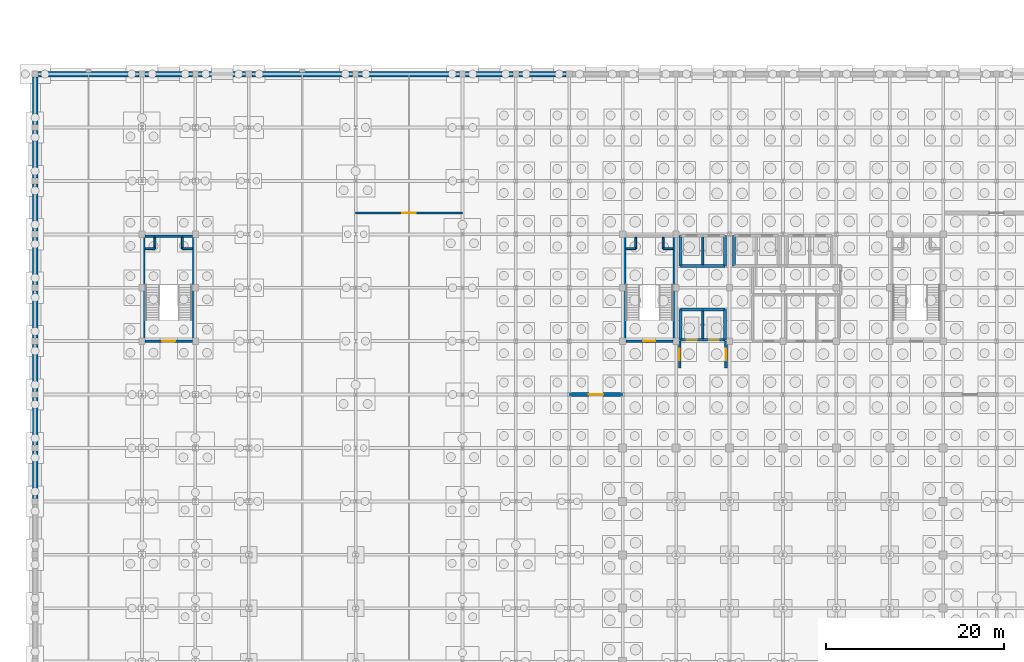
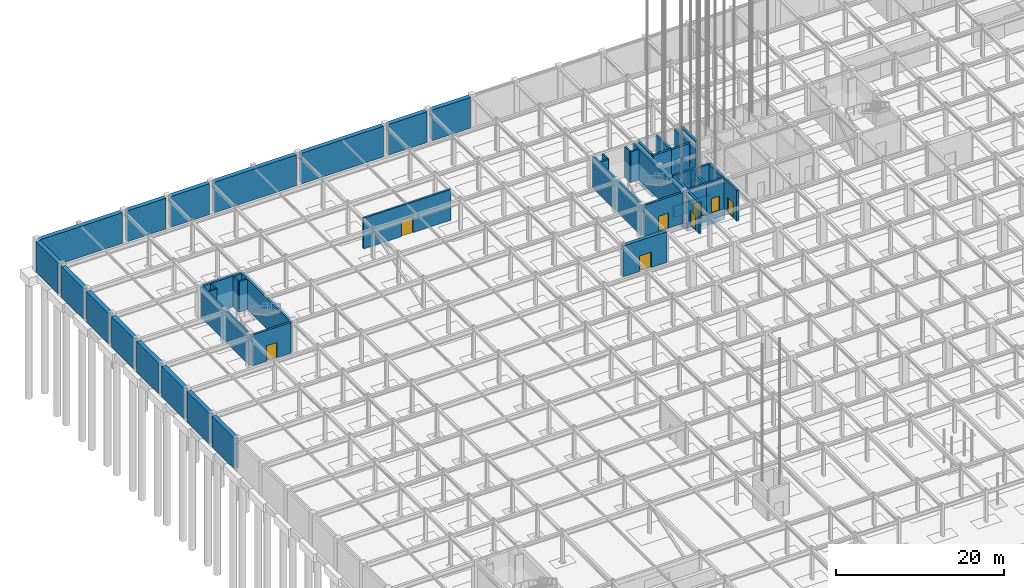
# One storey, part 46 of 69: 55 walls, 8 doors, 8 openings.
"""IFC4 building model written with IfcOpenShell, lengths in metres."""

from ifc_helpers import new_model, si_unit, direction, frame, frame_2d, origin, place, context, subcontext, project, spatial, rectangle, extrude, material, layer, layer_set, type_object, element, fill, save


model = new_model("IFC4")

# Units and contexts
model_context = context("Model", 3, precision=1e-05, world=origin(), true_north=direction((0.0, 1.0)))
body_context = subcontext(model_context, "Body", "Model", "MODEL_VIEW")
ifc_project = project(units=[si_unit("LENGTHUNIT", "METRE"), si_unit("AREAUNIT", "SQUARE_METRE"), si_unit("VOLUMEUNIT", "CUBIC_METRE"), si_unit("PLANEANGLEUNIT", "RADIAN"), si_unit("MASSUNIT", "GRAM", prefix="KILO")], contexts=[model_context])

# Site, building, storey
site_placement = place(None, origin())
site = spatial("IfcSite", under=ifc_project, at=site_placement, CompositionType="ELEMENT")
building_placement = place(site_placement, origin())
building = spatial("IfcBuilding", under=site, at=building_placement, Name="Zlatovratsky Civic Hall", CompositionType="ELEMENT")
storey_placement = place(building_placement, frame((0.0, 0.0, -4.800048828125)))
storey = spatial("IfcBuildingStorey", under=building, at=storey_placement, Name="B1", CompositionType="ELEMENT", Elevation=-4.800048828125)

# Wall, opening, door
ifc_material_1 = material(Name="Acoustic ceramic blockwork", Category="masonry")
ifc_layer_1 = layer(ifc_material_1, 0.260009765625)
ifc_layer_set_1 = layer_set([ifc_layer_1], Name="Acoustic ceramic blockwork")
wall_type_1 = type_object("IfcWallType", Name="Wall_ArchiveCompartment_260", PredefinedType="PARTITIONING", material=ifc_layer_set_1)
wall_1_placement = place(storey_placement, frame((36.0, 98.39990234375, 0.0), z_axis=(0.0, 0.0, 1.0), x_axis=(1.0, 0.0, 0.0)))
wall_1 = element("IfcWall", 1, at=wall_1_placement, inside=storey, type_object=wall_type_1, Name="WL-6048", PredefinedType="PARTITIONING", context=body_context, shape_type="SweptSolid", body=[
    extrude(rectangle(XDim=12.0, YDim=0.260009765625, at=frame_2d((6.0, 0.0))), origin(), (0.0, 0.0, 1.0), 4.47998046875),
])
opening_1_placement = place(wall_1_placement, frame((5.22509765625, 0.0, 0.0)))
opening_1 = element("IfcOpeningElement", 2, at=opening_1_placement, cuts=wall_1, Name="Opening D-15", PredefinedType="OPENING", context=body_context, shape_type="SweptSolid", body=[
    extrude(rectangle(XDim=1.550048828125, YDim=2.300048828125, at=frame_2d((0.77490234375, 1.14990234375))), frame((0.0, 0.14501953125, 0.0), z_axis=(0.0, -1.0, 0.0), x_axis=(1.0, 0.0, 0.0)), (0.0, 0.0, 1.0), 0.289794921875),
])
ifc_material_2 = material(Name="Insulated painted fire-rated steel leaf", Category="steel")
door_type_1 = type_object("IfcDoorType", Name="Door_CompactArchiveFire_1550x2300", OperationType="DOUBLE_DOOR_SINGLE_SWING", PredefinedType="DOOR", material=ifc_material_2)
door_1_placement = place(opening_1_placement, origin())
door_1 = element("IfcDoor", 3, at=door_1_placement, inside=storey, type_object=door_type_1, Name="DR-5217", OperationType="DOUBLE_DOOR_SINGLE_SWING", OverallHeight=2.300048828125, OverallWidth=1.550048828125, PredefinedType="DOOR", context=body_context, shape_type="SweptSolid", body=[
    extrude(rectangle(XDim=1.550048828125, YDim=2.300048828125, at=frame_2d((0.77490234375, 1.14990234375))), frame((0.0, 0.02490234375, 0.0), z_axis=(0.0, -1.0, 0.0), x_axis=(1.0, 0.0, 0.0)), (0.0, 0.0, 1.0), 0.050048828125),
])
fill(opening_1, door_1)

ifc_material_3 = material(Name="Concrete C35/45 (B40)", Category="concrete")
ifc_layer_2 = layer(ifc_material_3, 0.47998046875)
ifc_layer_set_2 = layer_set([ifc_layer_2], Name="Concrete C35/45 (B40)")
wall_type_2 = type_object("IfcWallType", Name="Wall_LowerCoreShear_480", PredefinedType="SHEAR", material=ifc_layer_set_2)
wall_2_placement = place(storey_placement, frame((60.0, 78.0, 0.0), z_axis=(0.0, 0.0, 1.0), x_axis=(1.0, 0.0, 0.0)))
wall_2 = element("IfcWall", 4, at=wall_2_placement, inside=storey, type_object=wall_type_2, Name="WL-6045", PredefinedType="SHEAR", context=body_context, shape_type="SweptSolid", body=[
    extrude(rectangle(XDim=6.0, YDim=0.47998046875, at=frame_2d((3.0, 0.0))), origin(), (0.0, 0.0, 1.0), 4.47998046875),
])
opening_2_placement = place(wall_2_placement, frame((2.199951171875, 0.0, 0.0)))
opening_2 = element("IfcOpeningElement", 5, at=opening_2_placement, cuts=wall_2, Name="Opening D-29", PredefinedType="OPENING", context=body_context, shape_type="SweptSolid", body=[
    extrude(rectangle(XDim=1.60009765625, YDim=2.25, at=frame_2d((0.800048828125, 1.125))), frame((0.0, 0.2548828125, 0.0), z_axis=(0.0, -1.0, 0.0), x_axis=(1.0, 0.0, 0.0)), (0.0, 0.0, 1.0), 0.509765625),
])
door_type_2 = type_object("IfcDoorType", Name="Door_PlantRoomDouble_1600x2250", OperationType="DOUBLE_DOOR_SINGLE_SWING", PredefinedType="DOOR", material=ifc_material_2)
door_2_placement = place(opening_2_placement, origin())
door_2 = element("IfcDoor", 6, at=door_2_placement, inside=storey, type_object=door_type_2, Name="DR-5214", OperationType="DOUBLE_DOOR_SINGLE_SWING", OverallHeight=2.25, OverallWidth=1.60009765625, PredefinedType="DOOR", context=body_context, shape_type="SweptSolid", body=[
    extrude(rectangle(XDim=1.60009765625, YDim=2.25, at=frame_2d((0.800048828125, 1.125))), frame((0.0, 0.02490234375, 0.0), z_axis=(0.0, -1.0, 0.0), x_axis=(1.0, 0.0, 0.0)), (0.0, 0.0, 1.0), 0.050048828125),
])
fill(opening_2, door_2)

# Walls
ifc_layer_3 = layer(ifc_material_1, 0.219970703125)
ifc_layer_set_3 = layer_set([ifc_layer_3], Name="Acoustic ceramic blockwork")
wall_type_3 = type_object("IfcWallType", Name="Wall_SanitaryWetCore_220", PredefinedType="PARTITIONING", material=ifc_layer_set_3)
wall_3_placement = place(storey_placement, frame((67.449951171875, 94.39990234375, 0.0), z_axis=(0.0, 0.0, 1.0), x_axis=(0.0, 1.0, 0.0)))
element("IfcWall", 7, at=wall_3_placement, inside=storey, type_object=wall_type_3, Name="WL-5005", PredefinedType="PARTITIONING", context=body_context, shape_type="SweptSolid", body=[
    extrude(rectangle(XDim=1.25, YDim=0.219970703125, at=frame_2d((0.625, 0.0))), origin(), (0.0, 0.0, 1.0), 4.47998046875),
])
wall_4_placement = place(storey_placement, frame((66.35009765625, 94.39990234375, 0.0), z_axis=(0.0, 0.0, 1.0), x_axis=(1.0, 0.0, 0.0)))
element("IfcWall", 8, at=wall_4_placement, inside=storey, type_object=wall_type_3, Name="WL-5006", PredefinedType="PARTITIONING", context=body_context, shape_type="SweptSolid", body=[
    extrude(rectangle(XDim=1.099853515625, YDim=0.219970703125, at=frame_2d((0.5498046875, 0.0))), origin(), (0.0, 0.0, 1.0), 4.47998046875),
])
wall_5_placement = place(storey_placement, frame((70.550048828125, 94.39990234375, 0.0), z_axis=(0.0, 0.0, 1.0), x_axis=(0.0, 1.0, 0.0)))
element("IfcWall", 9, at=wall_5_placement, inside=storey, type_object=wall_type_3, Name="WL-5007", PredefinedType="PARTITIONING", context=body_context, shape_type="SweptSolid", body=[
    extrude(rectangle(XDim=1.25, YDim=0.219970703125, at=frame_2d((0.625, 0.0))), origin(), (0.0, 0.0, 1.0), 4.47998046875),
])
wall_6_placement = place(storey_placement, frame((70.550048828125, 94.39990234375, 0.0), z_axis=(0.0, 0.0, 1.0), x_axis=(1.0, 0.0, 0.0)))
element("IfcWall", 10, at=wall_6_placement, inside=storey, type_object=wall_type_3, Name="WL-5008", PredefinedType="PARTITIONING", context=body_context, shape_type="SweptSolid", body=[
    extrude(rectangle(XDim=1.099853515625, YDim=0.219970703125, at=frame_2d((0.5498046875, 0.0))), origin(), (0.0, 0.0, 1.0), 4.47998046875),
])
wall_7_placement = place(storey_placement, frame((13.449951171875, 94.39990234375, 0.0), z_axis=(0.0, 0.0, 1.0), x_axis=(0.0, 1.0, 0.0)))
element("IfcWall", 11, at=wall_7_placement, inside=storey, type_object=wall_type_3, Name="WL-5393", PredefinedType="PARTITIONING", context=body_context, shape_type="SweptSolid", body=[
    extrude(rectangle(XDim=1.25, YDim=0.219970703125, at=frame_2d((0.625, 0.0))), origin(), (0.0, 0.0, 1.0), 4.47998046875),
])
wall_8_placement = place(storey_placement, frame((12.35009765625, 94.39990234375, 0.0), z_axis=(0.0, 0.0, 1.0), x_axis=(1.0, 0.0, 0.0)))
element("IfcWall", 12, at=wall_8_placement, inside=storey, type_object=wall_type_3, Name="WL-5394", PredefinedType="PARTITIONING", context=body_context, shape_type="SweptSolid", body=[
    extrude(rectangle(XDim=1.099853515625, YDim=0.219970703125, at=frame_2d((0.5498046875, 0.0))), origin(), (0.0, 0.0, 1.0), 4.47998046875),
])
wall_9_placement = place(storey_placement, frame((16.550048828125, 94.39990234375, 0.0), z_axis=(0.0, 0.0, 1.0), x_axis=(0.0, 1.0, 0.0)))
element("IfcWall", 13, at=wall_9_placement, inside=storey, type_object=wall_type_3, Name="WL-5395", PredefinedType="PARTITIONING", context=body_context, shape_type="SweptSolid", body=[
    extrude(rectangle(XDim=1.25, YDim=0.219970703125, at=frame_2d((0.625, 0.0))), origin(), (0.0, 0.0, 1.0), 4.47998046875),
])
wall_10_placement = place(storey_placement, frame((16.550048828125, 94.39990234375, 0.0), z_axis=(0.0, 0.0, 1.0), x_axis=(1.0, 0.0, 0.0)))
element("IfcWall", 14, at=wall_10_placement, inside=storey, type_object=wall_type_3, Name="WL-5396", PredefinedType="PARTITIONING", context=body_context, shape_type="SweptSolid", body=[
    extrude(rectangle(XDim=1.099853515625, YDim=0.219970703125, at=frame_2d((0.5498046875, 0.0))), origin(), (0.0, 0.0, 1.0), 4.47998046875),
])

# Wall, opening, door
ifc_layer_4 = layer(ifc_material_3, 0.300048828125)
ifc_layer_set_4 = layer_set([ifc_layer_4], Name="Concrete C35/45 (B40)")
wall_type_4 = type_object("IfcWallType", Name="Wall_StairAndLiftShaft_300", PredefinedType="SHEAR", material=ifc_layer_set_4)
wall_11_placement = place(storey_placement, frame((66.35009765625, 84.0, 0.0), z_axis=(0.0, 0.0, 1.0), x_axis=(1.0, 0.0, 0.0)))
wall_11 = element("IfcWall", 15, at=wall_11_placement, inside=storey, type_object=wall_type_4, Name="WL-5001", PredefinedType="SHEAR", context=body_context, shape_type="SweptSolid", body=[
    extrude(rectangle(XDim=5.2998046875, YDim=0.300048828125, at=frame_2d((2.64990234375, 0.0))), origin(), (0.0, 0.0, 1.0), 4.47998046875),
])
opening_3_placement = place(wall_11_placement, frame((1.97509765625, 0.0, 0.0)))
opening_3 = element("IfcOpeningElement", 16, at=opening_3_placement, cuts=wall_11, Name="Opening D-17", PredefinedType="OPENING", context=body_context, shape_type="SweptSolid", body=[
    extrude(rectangle(XDim=1.35009765625, YDim=2.199951171875, at=frame_2d((0.675048828125, 1.10009765625))), frame((0.0, 0.1650390625, 0.0), z_axis=(0.0, -1.0, 0.0), x_axis=(1.0, 0.0, 0.0)), (0.0, 0.0, 1.0), 0.329833984375),
])
door_type_3 = type_object("IfcDoorType", Name="Door_StairwellFireTower_1350x2200", OperationType="NOTDEFINED", PredefinedType="DOOR", material=ifc_material_2)
door_3_placement = place(opening_3_placement, origin())
door_3 = element("IfcDoor", 17, at=door_3_placement, inside=storey, type_object=door_type_3, Name="DR-5001", OperationType="SINGLE_SWING_LEFT", OverallHeight=2.199951171875, OverallWidth=1.35009765625, PredefinedType="DOOR", context=body_context, shape_type="SweptSolid", body=[
    extrude(rectangle(XDim=1.35009765625, YDim=2.199951171875, at=frame_2d((0.675048828125, 1.10009765625))), frame((0.0, 0.02490234375, 0.0), z_axis=(0.0, -1.0, 0.0), x_axis=(1.0, 0.0, 0.0)), (0.0, 0.0, 1.0), 0.050048828125),
])
fill(opening_3, door_3)

# Walls
for number, where, z_axis, x_axis, name in (
    (18, (66.199951171875, 84.0, 0.0), (0.0, 0.0, 1.0), (0.0, 1.0, 0.0), "WL-5003"),
    (19, (71.800048828125, 84.0, 0.0), (0.0, 0.0, 1.0), (0.0, 1.0, 0.0), "WL-5004"),
):
    element("IfcWall", number, at=place(storey_placement, frame(where, z_axis=z_axis, x_axis=x_axis)), inside=storey, type_object=wall_type_4, Name=name, PredefinedType="SHEAR", context=body_context, shape_type="SweptSolid", body=[
        extrude(rectangle(XDim=11.800048828125, YDim=0.300048828125, at=frame_2d((5.89990234375, 0.0))), origin(), (0.0, 0.0, 1.0), 4.47998046875),
    ])

# Wall, opening, door
wall_12_placement = place(storey_placement, frame((12.35009765625, 84.0, 0.0), z_axis=(0.0, 0.0, 1.0), x_axis=(1.0, 0.0, 0.0)))
wall_12 = element("IfcWall", 20, at=wall_12_placement, inside=storey, type_object=wall_type_4, Name="WL-5389", PredefinedType="SHEAR", context=body_context, shape_type="SweptSolid", body=[
    extrude(rectangle(XDim=5.2998046875, YDim=0.300048828125, at=frame_2d((2.64990234375, 0.0))), origin(), (0.0, 0.0, 1.0), 4.47998046875),
])
opening_4_placement = place(wall_12_placement, frame((1.925048828125, 0.0, 0.0)))
opening_4 = element("IfcOpeningElement", 21, at=opening_4_placement, cuts=wall_12, Name="Opening D-16", PredefinedType="OPENING", context=body_context, shape_type="SweptSolid", body=[
    extrude(rectangle(XDim=1.449951171875, YDim=2.25, at=frame_2d((0.72509765625, 1.125))), frame((0.0, 0.1650390625, 0.0), z_axis=(0.0, -1.0, 0.0), x_axis=(1.0, 0.0, 0.0)), (0.0, 0.0, 1.0), 0.329833984375),
])
door_type_4 = type_object("IfcDoorType", Name="Door_StairwellFirePodium_1450x2250", OperationType="NOTDEFINED", PredefinedType="DOOR", material=ifc_material_2)
door_4_placement = place(opening_4_placement, origin())
door_4 = element("IfcDoor", 22, at=door_4_placement, inside=storey, type_object=door_type_4, Name="DR-5049", OperationType="SINGLE_SWING_LEFT", OverallHeight=2.25, OverallWidth=1.449951171875, PredefinedType="DOOR", context=body_context, shape_type="SweptSolid", body=[
    extrude(rectangle(XDim=1.449951171875, YDim=2.25, at=frame_2d((0.72509765625, 1.125))), frame((0.0, 0.02490234375, 0.0), z_axis=(0.0, -1.0, 0.0), x_axis=(1.0, 0.0, 0.0)), (0.0, 0.0, 1.0), 0.050048828125),
])
fill(opening_4, door_4)

# Walls
wall_13_placement = place(storey_placement, frame((12.35009765625, 95.800048828125, 0.0), z_axis=(0.0, 0.0, 1.0), x_axis=(1.0, 0.0, 0.0)))
element("IfcWall", 23, at=wall_13_placement, inside=storey, type_object=wall_type_4, Name="WL-5390", PredefinedType="SHEAR", context=body_context, shape_type="SweptSolid", body=[
    extrude(rectangle(XDim=5.2998046875, YDim=0.300048828125, at=frame_2d((2.64990234375, 0.0))), origin(), (0.0, 0.0, 1.0), 4.47998046875),
])
for number, where, z_axis, x_axis, name in (
    (24, (12.199951171875, 84.0, 0.0), (0.0, 0.0, 1.0), (0.0, 1.0, 0.0), "WL-5391"),
    (25, (17.800048828125, 84.0, 0.0), (0.0, 0.0, 1.0), (0.0, 1.0, 0.0), "WL-5392"),
):
    element("IfcWall", number, at=place(storey_placement, frame(where, z_axis=z_axis, x_axis=x_axis)), inside=storey, type_object=wall_type_4, Name=name, PredefinedType="SHEAR", context=body_context, shape_type="SweptSolid", body=[
        extrude(rectangle(XDim=11.800048828125, YDim=0.300048828125, at=frame_2d((5.89990234375, 0.0))), origin(), (0.0, 0.0, 1.0), 4.47998046875),
    ])
for number, where, z_axis, x_axis, name in (
    (26, (72.5, 84.14990234375, -1.599853515625), (0.0, 0.0, 1.0), (1.0, 0.0, 0.0), "WL-5469"),
    (27, (72.5, 87.550048828125, -1.599853515625), (0.0, 0.0, 1.0), (1.0, 0.0, 0.0), "WL-5470"),
):
    element("IfcWall", number, at=place(storey_placement, frame(where, z_axis=z_axis, x_axis=x_axis)), inside=storey, type_object=wall_type_4, Name=name, PredefinedType="SHEAR", context=body_context, shape_type="SweptSolid", body=[
        extrude(rectangle(XDim=5.0, YDim=0.300048828125, at=frame_2d((2.5, 0.0))), origin(), (0.0, 0.0, 1.0), 1.599853515625),
    ])
for number, where, z_axis, x_axis, name in (
    (28, (72.5, 84.14990234375, -1.599853515625), (0.0, 0.0, 1.0), (0.0, 1.0, 0.0), "WL-5471"),
    (29, (77.5, 84.14990234375, -1.599853515625), (0.0, 0.0, 1.0), (0.0, 1.0, 0.0), "WL-5472"),
):
    element("IfcWall", number, at=place(storey_placement, frame(where, z_axis=z_axis, x_axis=x_axis)), inside=storey, type_object=wall_type_4, Name=name, PredefinedType="SHEAR", context=body_context, shape_type="SweptSolid", body=[
        extrude(rectangle(XDim=3.400146484375, YDim=0.300048828125, at=frame_2d((1.7001953125, 0.0))), origin(), (0.0, 0.0, 1.0), 1.599853515625),
    ])
wall_14_placement = place(storey_placement, frame((72.5, 92.449951171875, -1.599853515625), z_axis=(0.0, 0.0, 1.0), x_axis=(1.0, 0.0, 0.0)))
element("IfcWall", 30, at=wall_14_placement, inside=storey, type_object=wall_type_4, Name="WL-5473", PredefinedType="SHEAR", context=body_context, shape_type="SweptSolid", body=[
    extrude(rectangle(XDim=5.0, YDim=0.300048828125, at=frame_2d((2.5, 0.0))), origin(), (0.0, 0.0, 1.0), 1.599853515625),
])
for number, where, z_axis, x_axis, name in (
    (31, (72.5, 92.449951171875, -1.599853515625), (0.0, 0.0, 1.0), (0.0, 1.0, 0.0), "WL-5475"),
    (32, (77.5, 92.449951171875, -1.599853515625), (0.0, 0.0, 1.0), (0.0, 1.0, 0.0), "WL-5476"),
    (33, (78.5, 92.449951171875, -1.599853515625), (0.0, 0.0, 1.0), (0.0, 1.0, 0.0), "WL-5479"),
):
    element("IfcWall", number, at=place(storey_placement, frame(where, z_axis=z_axis, x_axis=x_axis)), inside=storey, type_object=wall_type_4, Name=name, PredefinedType="SHEAR", context=body_context, shape_type="SweptSolid", body=[
        extrude(rectangle(XDim=3.400146484375, YDim=0.300048828125, at=frame_2d((1.7001953125, 0.0))), origin(), (0.0, 0.0, 1.0), 1.599853515625),
    ])

# Wall, opening, door
wall_15_placement = place(storey_placement, frame((72.5, 84.14990234375, 0.0), z_axis=(0.0, 0.0, 1.0), x_axis=(1.0, 0.0, 0.0)))
wall_15 = element("IfcWall", 34, at=wall_15_placement, inside=storey, type_object=wall_type_4, Name="WL-5493", PredefinedType="SHEAR", context=body_context, shape_type="SweptSolid", body=[
    extrude(rectangle(XDim=2.5, YDim=0.300048828125, at=frame_2d((1.25, 0.0))), origin(), (0.0, 0.0, 1.0), 4.47998046875),
])
opening_5_placement = place(wall_15_placement, frame((0.699951171875, 0.0, 0.0)))
opening_5 = element("IfcOpeningElement", 35, at=opening_5_placement, cuts=wall_15, Name="Opening LD-01", PredefinedType="OPENING", context=body_context, shape_type="SweptSolid", body=[
    extrude(rectangle(XDim=1.10009765625, YDim=2.10009765625, at=frame_2d((0.550048828125, 1.050048828125))), frame((0.0, 0.1650390625, 0.0), z_axis=(0.0, -1.0, 0.0), x_axis=(1.0, 0.0, 0.0)), (0.0, 0.0, 1.0), 0.329833984375),
])
ifc_material_4 = material(Name="Brushed stainless steel AISI 304", Category="steel")
door_type_5 = type_object("IfcDoorType", Name="Door_LiftLandingFire_1100x2100", OperationType="DOUBLE_DOOR_SLIDING", PredefinedType="DOOR", material=ifc_material_4)
door_5_placement = place(opening_5_placement, origin())
door_5 = element("IfcDoor", 36, at=door_5_placement, inside=storey, type_object=door_type_5, Name="Lift landing door LD-5059", OperationType="DOUBLE_DOOR_SLIDING", OverallHeight=2.10009765625, OverallWidth=1.10009765625, PredefinedType="DOOR", context=body_context, shape_type="SweptSolid", body=[
    extrude(rectangle(XDim=1.10009765625, YDim=2.10009765625, at=frame_2d((0.550048828125, 1.050048828125))), frame((0.0, 0.02490234375, 0.0), z_axis=(0.0, -1.0, 0.0), x_axis=(1.0, 0.0, 0.0)), (0.0, 0.0, 1.0), 0.050048828125),
])
fill(opening_5, door_5)

# Walls
wall_16_placement = place(storey_placement, frame((72.5, 87.550048828125, 0.0), z_axis=(0.0, 0.0, 1.0), x_axis=(1.0, 0.0, 0.0)))
element("IfcWall", 37, at=wall_16_placement, inside=storey, type_object=wall_type_4, Name="WL-5494", PredefinedType="SHEAR", context=body_context, shape_type="SweptSolid", body=[
    extrude(rectangle(XDim=2.5, YDim=0.300048828125, at=frame_2d((1.25, 0.0))), origin(), (0.0, 0.0, 1.0), 4.47998046875),
])
wall_17_placement = place(storey_placement, frame((72.5, 84.14990234375, 0.0), z_axis=(0.0, 0.0, 1.0), x_axis=(0.0, 1.0, 0.0)))
element("IfcWall", 38, at=wall_17_placement, inside=storey, type_object=wall_type_4, Name="WL-5495", PredefinedType="SHEAR", context=body_context, shape_type="SweptSolid", body=[
    extrude(rectangle(XDim=3.400146484375, YDim=0.300048828125, at=frame_2d((1.7001953125, 0.0))), origin(), (0.0, 0.0, 1.0), 4.47998046875),
])

# Wall, opening, door
wall_18_placement = place(storey_placement, frame((75.0, 84.14990234375, 0.0), z_axis=(0.0, 0.0, 1.0), x_axis=(1.0, 0.0, 0.0)))
wall_18 = element("IfcWall", 39, at=wall_18_placement, inside=storey, type_object=wall_type_4, Name="WL-5550", PredefinedType="SHEAR", context=body_context, shape_type="SweptSolid", body=[
    extrude(rectangle(XDim=2.5, YDim=0.300048828125, at=frame_2d((1.25, 0.0))), origin(), (0.0, 0.0, 1.0), 4.47998046875),
])
opening_6_placement = place(wall_18_placement, frame((0.699951171875, 0.0, 0.0)))
opening_6 = element("IfcOpeningElement", 40, at=opening_6_placement, cuts=wall_18, Name="Opening LD-01", PredefinedType="OPENING", context=body_context, shape_type="SweptSolid", body=[
    extrude(rectangle(XDim=1.10009765625, YDim=2.10009765625, at=frame_2d((0.550048828125, 1.050048828125))), frame((0.0, 0.1650390625, 0.0), z_axis=(0.0, -1.0, 0.0), x_axis=(1.0, 0.0, 0.0)), (0.0, 0.0, 1.0), 0.329833984375),
])
door_6_placement = place(opening_6_placement, origin())
door_6 = element("IfcDoor", 41, at=door_6_placement, inside=storey, type_object=door_type_5, Name="Lift landing door LD-5078", OperationType="DOUBLE_DOOR_SLIDING", OverallHeight=2.10009765625, OverallWidth=1.10009765625, PredefinedType="DOOR", context=body_context, shape_type="SweptSolid", body=[
    extrude(rectangle(XDim=1.10009765625, YDim=2.10009765625, at=frame_2d((0.550048828125, 1.050048828125))), frame((0.0, 0.02490234375, 0.0), z_axis=(0.0, -1.0, 0.0), x_axis=(1.0, 0.0, 0.0)), (0.0, 0.0, 1.0), 0.050048828125),
])
fill(opening_6, door_6)

# Walls
wall_19_placement = place(storey_placement, frame((75.0, 87.550048828125, 0.0), z_axis=(0.0, 0.0, 1.0), x_axis=(1.0, 0.0, 0.0)))
element("IfcWall", 42, at=wall_19_placement, inside=storey, type_object=wall_type_4, Name="WL-5551", PredefinedType="SHEAR", context=body_context, shape_type="SweptSolid", body=[
    extrude(rectangle(XDim=2.5, YDim=0.300048828125, at=frame_2d((1.25, 0.0))), origin(), (0.0, 0.0, 1.0), 4.47998046875),
])
for number, where, z_axis, x_axis, name in (
    (43, (75.0, 84.14990234375, 0.0), (0.0, 0.0, 1.0), (0.0, 1.0, 0.0), "WL-5552"),
    (44, (77.5, 84.14990234375, 0.0), (0.0, 0.0, 1.0), (0.0, 1.0, 0.0), "WL-5553"),
):
    element("IfcWall", number, at=place(storey_placement, frame(where, z_axis=z_axis, x_axis=x_axis)), inside=storey, type_object=wall_type_4, Name=name, PredefinedType="SHEAR", context=body_context, shape_type="SweptSolid", body=[
        extrude(rectangle(XDim=3.400146484375, YDim=0.300048828125, at=frame_2d((1.7001953125, 0.0))), origin(), (0.0, 0.0, 1.0), 4.47998046875),
    ])
wall_20_placement = place(storey_placement, frame((72.5, 92.449951171875, 0.0), z_axis=(0.0, 0.0, 1.0), x_axis=(1.0, 0.0, 0.0)))
element("IfcWall", 45, at=wall_20_placement, inside=storey, type_object=wall_type_4, Name="WL-5627", PredefinedType="SHEAR", context=body_context, shape_type="SweptSolid", body=[
    extrude(rectangle(XDim=2.5, YDim=0.300048828125, at=frame_2d((1.25, 0.0))), origin(), (0.0, 0.0, 1.0), 4.47998046875),
])
wall_21_placement = place(storey_placement, frame((72.5, 92.449951171875, 0.0), z_axis=(0.0, 0.0, 1.0), x_axis=(0.0, 1.0, 0.0)))
element("IfcWall", 46, at=wall_21_placement, inside=storey, type_object=wall_type_4, Name="WL-5628", PredefinedType="SHEAR", context=body_context, shape_type="SweptSolid", body=[
    extrude(rectangle(XDim=3.400146484375, YDim=0.300048828125, at=frame_2d((1.7001953125, 0.0))), origin(), (0.0, 0.0, 1.0), 4.47998046875),
])
wall_22_placement = place(storey_placement, frame((75.0, 92.449951171875, 0.0), z_axis=(0.0, 0.0, 1.0), x_axis=(1.0, 0.0, 0.0)))
element("IfcWall", 47, at=wall_22_placement, inside=storey, type_object=wall_type_4, Name="WL-5684", PredefinedType="SHEAR", context=body_context, shape_type="SweptSolid", body=[
    extrude(rectangle(XDim=2.5, YDim=0.300048828125, at=frame_2d((1.25, 0.0))), origin(), (0.0, 0.0, 1.0), 4.47998046875),
])
for number, where, z_axis, x_axis, name in (
    (48, (75.0, 92.449951171875, 0.0), (0.0, 0.0, 1.0), (0.0, 1.0, 0.0), "WL-5685"),
    (49, (77.5, 92.449951171875, 0.0), (0.0, 0.0, 1.0), (0.0, 1.0, 0.0), "WL-5686"),
    (50, (78.5, 92.449951171875, 0.0), (0.0, 0.0, 1.0), (0.0, 1.0, 0.0), "WL-5761"),
):
    element("IfcWall", number, at=place(storey_placement, frame(where, z_axis=z_axis, x_axis=x_axis)), inside=storey, type_object=wall_type_4, Name=name, PredefinedType="SHEAR", context=body_context, shape_type="SweptSolid", body=[
        extrude(rectangle(XDim=3.400146484375, YDim=0.300048828125, at=frame_2d((1.7001953125, 0.0))), origin(), (0.0, 0.0, 1.0), 4.47998046875),
    ])

# Wall, opening, door
wall_23_placement = place(storey_placement, frame((72.39990234375, 81.0, 0.0), z_axis=(0.0, 0.0, 1.0), x_axis=(0.0, 1.0, 0.0)))
wall_23 = element("IfcWall", 51, at=wall_23_placement, inside=storey, type_object=wall_type_4, Name="WL-6033", PredefinedType="SHEAR", context=body_context, shape_type="SweptSolid", body=[
    extrude(rectangle(XDim=3.0, YDim=0.300048828125, at=frame_2d((1.5, 0.0))), origin(), (0.0, 0.0, 1.0), 4.47998046875),
])
opening_7_placement = place(wall_23_placement, frame((0.85009765625, 0.0, 0.0)))
opening_7 = element("IfcOpeningElement", 52, at=opening_7_placement, cuts=wall_23, Name="Opening D-18", PredefinedType="OPENING", context=body_context, shape_type="SweptSolid", body=[
    extrude(rectangle(XDim=1.300048828125, YDim=2.199951171875, at=frame_2d((0.64990234375, 1.10009765625))), frame((0.0, 0.1650390625, 0.0), z_axis=(0.0, -1.0, 0.0), x_axis=(1.0, 0.0, 0.0)), (0.0, 0.0, 1.0), 0.329833984375),
])
door_type_6 = type_object("IfcDoorType", Name="Door_FireLobbyAirlock_1300x2200", OperationType="NOTDEFINED", PredefinedType="DOOR", material=ifc_material_2)
door_7_placement = place(opening_7_placement, origin())
door_7 = element("IfcDoor", 53, at=door_7_placement, inside=storey, type_object=door_type_6, Name="DR-5205", OperationType="SINGLE_SWING_RIGHT", OverallHeight=2.199951171875, OverallWidth=1.300048828125, PredefinedType="DOOR", context=body_context, shape_type="SweptSolid", body=[
    extrude(rectangle(XDim=1.300048828125, YDim=2.199951171875, at=frame_2d((0.64990234375, 1.10009765625))), frame((0.0, 0.02490234375, 0.0), z_axis=(0.0, -1.0, 0.0), x_axis=(1.0, 0.0, 0.0)), (0.0, 0.0, 1.0), 0.050048828125),
])
fill(opening_7, door_7)

wall_24_placement = place(storey_placement, frame((77.60009765625, 81.0, 0.0), z_axis=(0.0, 0.0, 1.0), x_axis=(0.0, 1.0, 0.0)))
wall_24 = element("IfcWall", 54, at=wall_24_placement, inside=storey, type_object=wall_type_4, Name="WL-6034", PredefinedType="SHEAR", context=body_context, shape_type="SweptSolid", body=[
    extrude(rectangle(XDim=3.0, YDim=0.300048828125, at=frame_2d((1.5, 0.0))), origin(), (0.0, 0.0, 1.0), 4.47998046875),
])
opening_8_placement = place(wall_24_placement, frame((0.85009765625, 0.0, 0.0)))
opening_8 = element("IfcOpeningElement", 55, at=opening_8_placement, cuts=wall_24, Name="Opening D-18", PredefinedType="OPENING", context=body_context, shape_type="SweptSolid", body=[
    extrude(rectangle(XDim=1.300048828125, YDim=2.199951171875, at=frame_2d((0.64990234375, 1.10009765625))), frame((0.0, 0.1650390625, 0.0), z_axis=(0.0, -1.0, 0.0), x_axis=(1.0, 0.0, 0.0)), (0.0, 0.0, 1.0), 0.329833984375),
])
door_8_placement = place(opening_8_placement, origin())
door_8 = element("IfcDoor", 56, at=door_8_placement, inside=storey, type_object=door_type_6, Name="DR-5206", OperationType="SINGLE_SWING_RIGHT", OverallHeight=2.199951171875, OverallWidth=1.300048828125, PredefinedType="DOOR", context=body_context, shape_type="SweptSolid", body=[
    extrude(rectangle(XDim=1.300048828125, YDim=2.199951171875, at=frame_2d((0.64990234375, 1.10009765625))), frame((0.0, 0.02490234375, 0.0), z_axis=(0.0, -1.0, 0.0), x_axis=(1.0, 0.0, 0.0)), (0.0, 0.0, 1.0), 0.050048828125),
])
fill(opening_8, door_8)

# Walls
ifc_layer_5 = layer(ifc_material_3, 0.60009765625)
ifc_layer_set_5 = layer_set([ifc_layer_5], Name="Concrete C35/45 (B40)")
wall_type_5 = type_object("IfcWallType", Name="Wall_SubstructureRetaining_600", PredefinedType="SHEAR", material=ifc_layer_set_5)
wall_25_placement = place(storey_placement, frame((0.35009765625, 114.0, 0.0), z_axis=(0.0, 0.0, 1.0), x_axis=(1.0, 0.0, 0.0)))
element("IfcWall", 57, at=wall_25_placement, inside=storey, type_object=wall_type_5, Name="WL-0023", PredefinedType="SHEAR", context=body_context, shape_type="SweptSolid", body=[
    extrude(rectangle(XDim=11.2998046875, YDim=0.60009765625, at=frame_2d((5.64990234375, 0.0))), origin(), (0.0, 0.0, 1.0), 4.47998046875),
])
for number, where, z_axis, x_axis, name in (
    (58, (12.35009765625, 114.0, 0.0), (0.0, 0.0, 1.0), (1.0, 0.0, 0.0), "WL-0024"),
    (59, (18.35009765625, 114.0, 0.0), (0.0, 0.0, 1.0), (1.0, 0.0, 0.0), "WL-0025"),
):
    element("IfcWall", number, at=place(storey_placement, frame(where, z_axis=z_axis, x_axis=x_axis)), inside=storey, type_object=wall_type_5, Name=name, PredefinedType="SHEAR", context=body_context, shape_type="SweptSolid", body=[
        extrude(rectangle(XDim=5.2998046875, YDim=0.60009765625, at=frame_2d((2.64990234375, 0.0))), origin(), (0.0, 0.0, 1.0), 4.47998046875),
    ])
for number, where, z_axis, x_axis, name in (
    (60, (24.35009765625, 114.0, 0.0), (0.0, 0.0, 1.0), (1.0, 0.0, 0.0), "WL-0026"),
    (61, (36.35009765625, 114.0, 0.0), (0.0, 0.0, 1.0), (1.0, 0.0, 0.0), "WL-0027"),
):
    element("IfcWall", number, at=place(storey_placement, frame(where, z_axis=z_axis, x_axis=x_axis)), inside=storey, type_object=wall_type_5, Name=name, PredefinedType="SHEAR", context=body_context, shape_type="SweptSolid", body=[
        extrude(rectangle(XDim=11.2998046875, YDim=0.60009765625, at=frame_2d((5.64990234375, 0.0))), origin(), (0.0, 0.0, 1.0), 4.47998046875),
    ])
for number, where, z_axis, x_axis, name in (
    (62, (48.35009765625, 114.0, 0.0), (0.0, 0.0, 1.0), (1.0, 0.0, 0.0), "WL-0028"),
    (63, (54.35009765625, 114.0, 0.0), (0.0, 0.0, 1.0), (1.0, 0.0, 0.0), "WL-0029"),
    (64, (0.0, 66.35009765625, 0.0), (0.0, 0.0, 1.0), (0.0, 1.0, 0.0), "WL-0054"),
    (65, (0.0, 72.35009765625, 0.0), (0.0, 0.0, 1.0), (0.0, 1.0, 0.0), "WL-0055"),
    (66, (0.0, 78.35009765625, 0.0), (0.0, 0.0, 1.0), (0.0, 1.0, 0.0), "WL-0056"),
    (67, (0.0, 84.35009765625, 0.0), (0.0, 0.0, 1.0), (0.0, 1.0, 0.0), "WL-0057"),
    (68, (0.0, 90.35009765625, 0.0), (0.0, 0.0, 1.0), (0.0, 1.0, 0.0), "WL-0058"),
    (69, (0.0, 96.35009765625, 0.0), (0.0, 0.0, 1.0), (0.0, 1.0, 0.0), "WL-0059"),
    (70, (0.0, 102.35009765625, 0.0), (0.0, 0.0, 1.0), (0.0, 1.0, 0.0), "WL-0060"),
    (71, (0.0, 108.35009765625, 0.0), (0.0, 0.0, 1.0), (0.0, 1.0, 0.0), "WL-0061"),
):
    element("IfcWall", number, at=place(storey_placement, frame(where, z_axis=z_axis, x_axis=x_axis)), inside=storey, type_object=wall_type_5, Name=name, PredefinedType="SHEAR", context=body_context, shape_type="SweptSolid", body=[
        extrude(rectangle(XDim=5.2998046875, YDim=0.60009765625, at=frame_2d((2.64990234375, 0.0))), origin(), (0.0, 0.0, 1.0), 4.47998046875),
    ])

save(model, "model.ifc")
